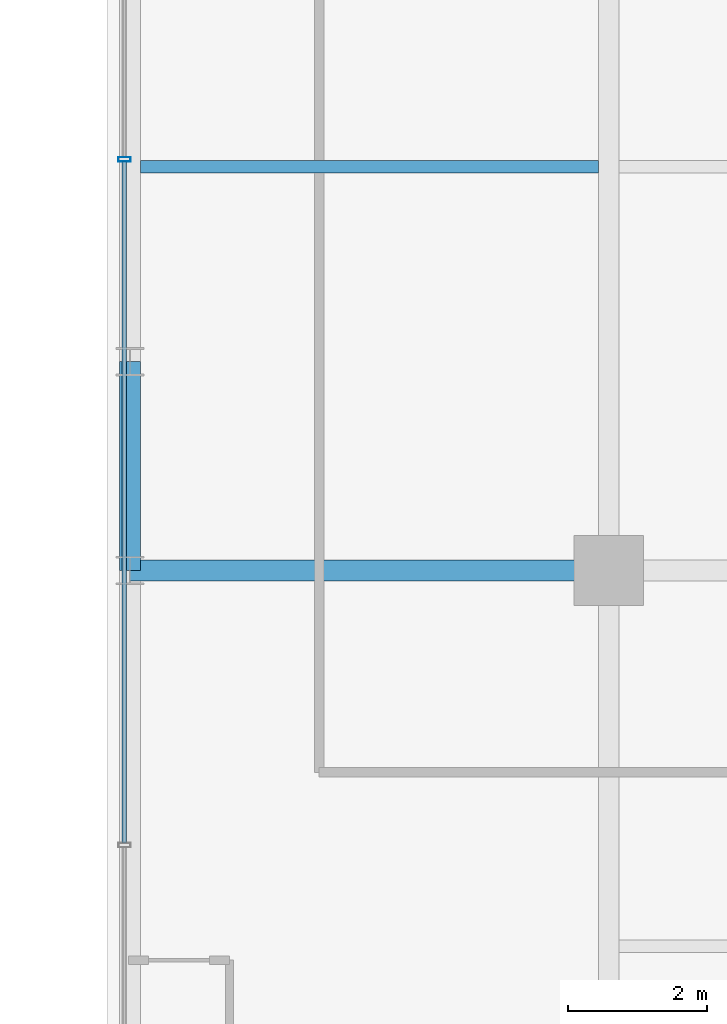
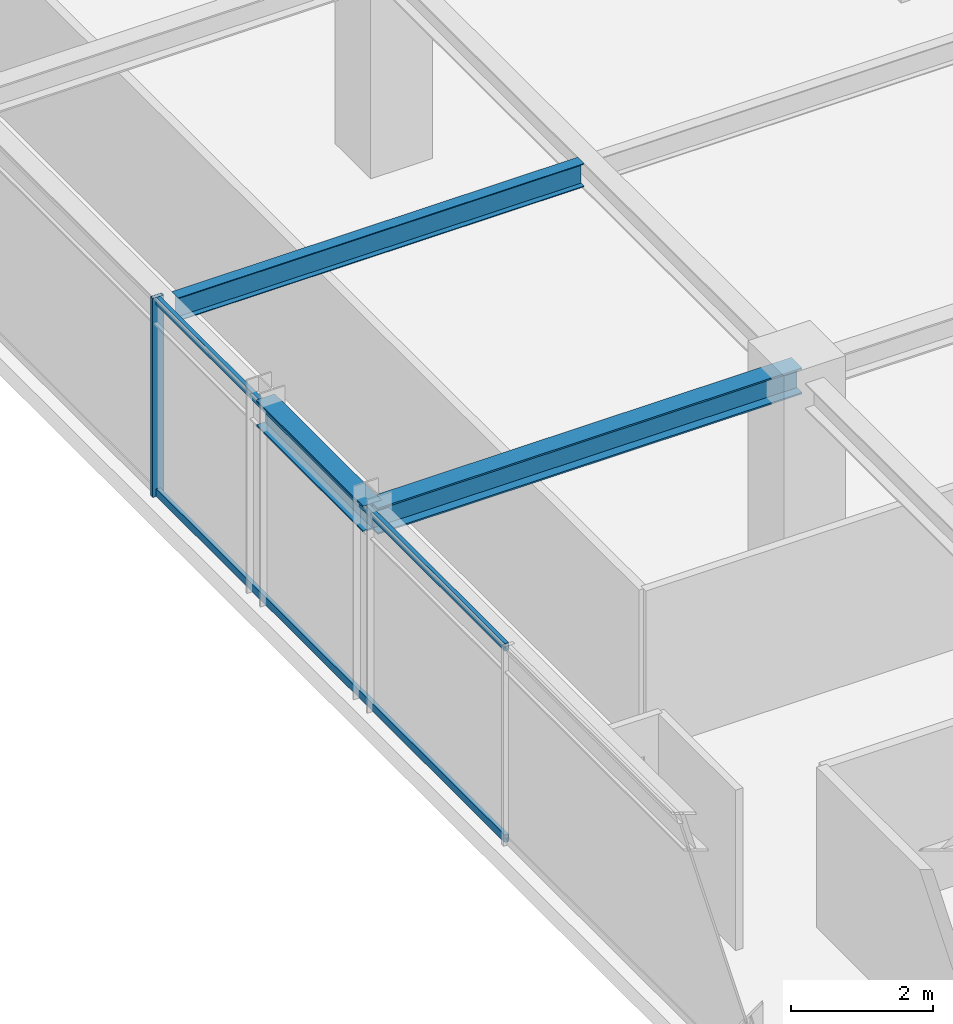
# One storey, part 17 of 32: 3 beams, 3 members, 1 element without a shape of its own.
"""IFC4 building model written with IfcOpenShell, lengths in metres."""

from ifc_helpers import new_model, si_unit, direction, frame, origin, origin_2d, place, context, subcontext, project, spatial, hollow_rectangle, i_section, extrude, source, transform, mapped, material, material_profile, profile_set, type_object, element, aggregate, save


model = new_model("IFC4")

# Units and contexts
model_context = context("Model", 3, precision=1e-05, world=origin(), true_north=direction((0.0, 1.0)))
body_context = subcontext(model_context, "Body", "Model", "MODEL_VIEW")
ifc_project = project(units=[si_unit("LENGTHUNIT", "METRE"), si_unit("AREAUNIT", "SQUARE_METRE"), si_unit("VOLUMEUNIT", "CUBIC_METRE"), si_unit("PLANEANGLEUNIT", "RADIAN"), si_unit("MASSUNIT", "GRAM", prefix="KILO")], contexts=[model_context])

# Site, building, storey
site_placement = place(None, origin())
site = spatial("IfcSite", under=ifc_project, at=site_placement, CompositionType="ELEMENT")
building_placement = place(site_placement, origin())
building = spatial("IfcBuilding", under=site, at=building_placement, Name="Nahalor Promenade Grand Hotel", CompositionType="ELEMENT")
storey_placement = place(building_placement, frame((0.0, 0.0, 230.800048828125)))
storey = spatial("IfcBuildingStorey", under=building, at=storey_placement, Name="L59", CompositionType="ELEMENT", Elevation=230.800048828125)

# Beams
ifc_material_1 = material(Name="Steel S355JR", Category="steel")
ifc_material_profile_1 = material_profile(ifc_material_1, i_section(OverallWidth=0.3, OverallDepth=0.45, WebThickness=0.014, FlangeThickness=0.026, at=origin_2d()), Name="HEB 450")
ifc_profile_set_1 = profile_set([ifc_material_profile_1], Name="Steel S355JR")
beam_type_1 = type_object("IfcBeamType", Name="Beam-Spandrel-HEB450", PredefinedType="SPANDREL", material=ifc_profile_set_1)
shared_shape_1 = source(origin(), body_context, "Body", "SweptSolid", [
    extrude(i_section(OverallWidth=0.3, OverallDepth=0.45, WebThickness=0.014, FlangeThickness=0.026, at=origin_2d()), origin(), (0.0, 0.0, 1.0), 3.0),
])
beam_1_placement = place(storey_placement, frame((-23.8798828125, 5.39990234375, 3.18505859375), z_axis=(0.0, 1.0, 0.0), x_axis=(-1.0, 0.0, 0.0)))
element("IfcBeam", 1, at=beam_1_placement, inside=storey, type_object=beam_type_1, Name="BM-L59-SP-W-3", PredefinedType="SPANDREL", context=body_context, shape_type="MappedRepresentation", body=[
    mapped(shared_shape_1, transform((0.0, 0.0, 0.0), scale=1.0)),
])
ifc_material_profile_2 = material_profile(ifc_material_1, i_section(OverallWidth=0.3, OverallDepth=0.45, WebThickness=0.014, FlangeThickness=0.026, at=origin_2d()), Name="HEB 450")
ifc_profile_set_2 = profile_set([ifc_material_profile_2], Name="Steel S355JR")
beam_type_2 = type_object("IfcBeamType", Name="Beam-Girder-HEB450", PredefinedType="BEAM", material=ifc_profile_set_2)
shared_shape_2 = source(origin(), body_context, "Body", "SweptSolid", [
    extrude(i_section(OverallWidth=0.3, OverallDepth=0.45, WebThickness=0.014, FlangeThickness=0.026, at=origin_2d()), origin(), (0.0, 0.0, 1.0), 6.8798828125),
])
beam_2_placement = place(storey_placement, frame((-23.8798828125, 5.39990234375, 3.18505859375), z_axis=(1.0, 0.0, 0.0), x_axis=(0.0, 1.0, 0.0)))
element("IfcBeam", 2, at=beam_2_placement, inside=storey, type_object=beam_type_2, Name="BM-L59-GX-2-0", PredefinedType="BEAM", context=body_context, shape_type="MappedRepresentation", body=[
    mapped(shared_shape_2, transform((0.0, 0.0, 0.0), scale=1.0)),
])
ifc_material_profile_3 = material_profile(ifc_material_1, i_section(OverallWidth=0.18, OverallDepth=0.4, WebThickness=0.0086, FlangeThickness=0.0135, at=origin_2d()), Name="IPE 400")
ifc_profile_set_3 = profile_set([ifc_material_profile_3], Name="Steel S355JR")
beam_type_3 = type_object("IfcBeamType", Name="Beam-Joist-IPE400", PredefinedType="JOIST", material=ifc_profile_set_3)
shared_shape_3 = source(origin(), body_context, "Body", "SweptSolid", [
    extrude(i_section(OverallWidth=0.18, OverallDepth=0.4, WebThickness=0.0086, FlangeThickness=0.0135, at=origin_2d()), origin(), (0.0, 0.0, 1.0), 6.580078125),
])
beam_3_placement = place(storey_placement, frame((-23.72998046875, 11.199951171875, 3.2099609375), z_axis=(1.0, 0.0, 0.0), x_axis=(0.0, 1.0, 0.0)))
element("IfcBeam", 3, at=beam_3_placement, inside=storey, type_object=beam_type_3, Name="BM-L59-JSW-1-0", PredefinedType="JOIST", context=body_context, shape_type="MappedRepresentation", body=[
    mapped(shared_shape_3, transform((0.0, 0.0, 0.0), scale=1.0)),
])

# Curtain wall, members
ifc_material_2 = material(Name="Anodised Bronze Aluminium EN AW-6063 T6", Category="aluminium")
curtain_wall_type = type_object("IfcCurtainWallType", Name="CW2 Typical Hotel Flush Bronze Unitised Curtain Wall", PredefinedType="USERDEFINED", material=ifc_material_2)
curtain_wall_placement = place(storey_placement, origin())
curtain_wall = element("IfcCurtainWall", 4, at=curtain_wall_placement, inside=storey, type_object=curtain_wall_type, Name="L59 Curtain Wall CW-L59-W-3", ObjectType="UNITISED_CURTAIN_WALL", PredefinedType="USERDEFINED")
ifc_material_profile_4 = material_profile(ifc_material_2, hollow_rectangle(XDim=0.065, YDim=0.13, WallThickness=0.004, at=origin_2d()), Name="CWT 65x130x4")
ifc_profile_set_4 = profile_set([ifc_material_profile_4], Name="Anodised Bronze Aluminium EN AW-6063 T6")
member_type_1 = type_object("IfcMemberType", Name="CWT2 Typical Bronze Transom 65x130", PredefinedType="USERDEFINED", material=ifc_profile_set_4)
shared_shape_4 = source(origin(), body_context, "Body", "SweptSolid", [
    extrude(hollow_rectangle(XDim=0.065, YDim=0.13, WallThickness=0.004, at=origin_2d()), origin(), (0.0, 0.0, 1.0), 9.788330078125),
])
member_1_placement = place(storey_placement, frame((-23.9599609375, 1.48583984375, 0.06494140625), z_axis=(0.0, 1.0, 0.0), x_axis=(-1.0, 0.0, 0.0)))
member_1 = element("IfcMember", 5, at=member_1_placement, type_object=member_type_1, Name="CW-L59-W-3 Transom 1-0", ObjectType="TRANSOM", PredefinedType="USERDEFINED", context=body_context, shape_type="MappedRepresentation", body=[
    mapped(shared_shape_4, transform((0.0, 0.0, 0.0), scale=1.0)),
])
member_2_placement = place(storey_placement, frame((-23.9599609375, 1.48583984375, 3.344970703125), z_axis=(0.0, 1.0, 0.0), x_axis=(-1.0, 0.0, 0.0)))
member_2 = element("IfcMember", 6, at=member_2_placement, type_object=member_type_1, Name="CW-L59-W-3 Transom 1-1", ObjectType="TRANSOM", PredefinedType="USERDEFINED", context=body_context, shape_type="MappedRepresentation", body=[
    mapped(shared_shape_4, transform((0.0, 0.0, 0.0), scale=1.0)),
])
ifc_material_profile_5 = material_profile(ifc_material_2, hollow_rectangle(XDim=0.065, YDim=0.18, WallThickness=0.004, at=origin_2d()), Name="CWM 65x180x4")
ifc_profile_set_5 = profile_set([ifc_material_profile_5], Name="Anodised Bronze Aluminium EN AW-6063 T6")
member_type_2 = type_object("IfcMemberType", Name="CWM2 Typical Bronze Mullion 65x180", PredefinedType="MULLION", material=ifc_profile_set_5)
shared_shape_5 = source(origin(), body_context, "Body", "SweptSolid", [
    extrude(hollow_rectangle(XDim=0.065, YDim=0.18, WallThickness=0.004, at=origin_2d()), origin(), (0.0, 0.0, 1.0), 3.409912109375),
])
member_3_placement = place(storey_placement, frame((-23.9599609375, 11.306640625, 0.0), z_axis=(0.0, 0.0, 1.0), x_axis=(0.0, 1.0, 0.0)))
member_3 = element("IfcMember", 7, at=member_3_placement, type_object=member_type_2, Name="CW-L59-W-3 Mullion 2", PredefinedType="MULLION", context=body_context, shape_type="MappedRepresentation", body=[
    mapped(shared_shape_5, transform((0.0, 0.0, 0.0), scale=1.0)),
])
aggregate(curtain_wall, [member_3, member_1, member_2])

save(model, "model.ifc")
